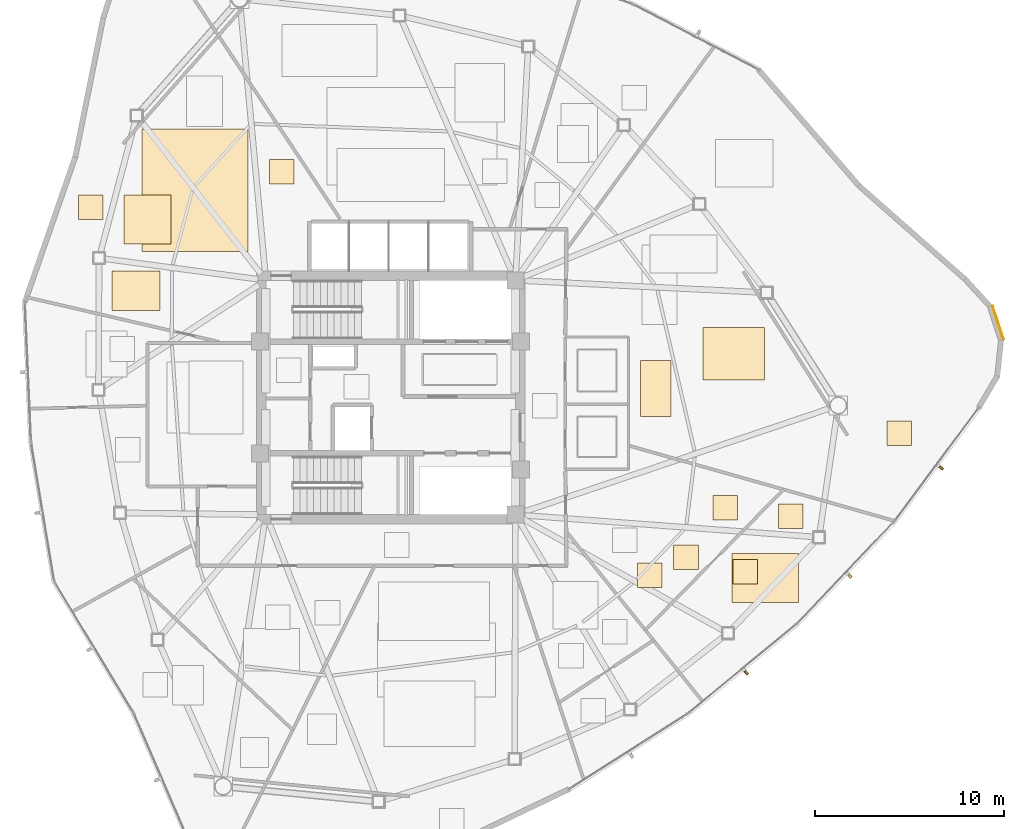
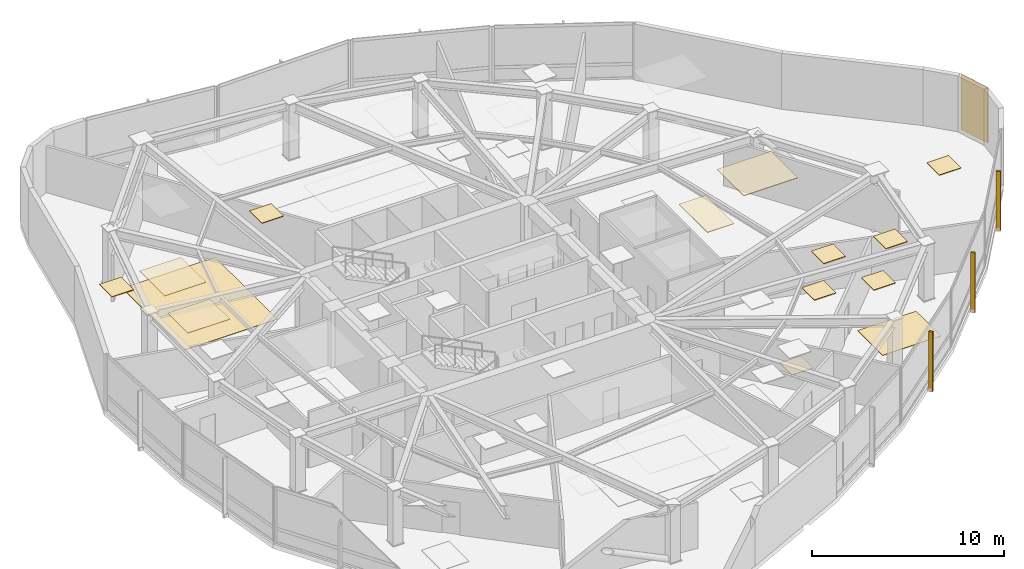
# One storey, part 16 of 17: 15 coverings, 3 shading devices.
"""IFC4 building model written with IfcOpenShell, lengths in metres."""

from ifc_helpers import new_model, si_unit, direction, frame, origin, origin_2d, place, context, subcontext, project, spatial, polyline, rectangle, outline, extrude, source, transform, mapped, material, layer, layer_set, type_object, type_shapes, element, save


model = new_model("IFC4")

# Units and contexts
model_context = context("Model", 3, precision=1e-05, world=origin(), true_north=direction((0.0, 1.0)))
body_context = subcontext(model_context, "Body", "Model", "MODEL_VIEW")
ifc_project = project(units=[si_unit("LENGTHUNIT", "METRE"), si_unit("AREAUNIT", "SQUARE_METRE"), si_unit("VOLUMEUNIT", "CUBIC_METRE"), si_unit("PLANEANGLEUNIT", "RADIAN"), si_unit("MASSUNIT", "GRAM", prefix="KILO")], contexts=[model_context])

# Site, building, storey
site_placement = place(None, origin())
site = spatial("IfcSite", under=ifc_project, at=site_placement, CompositionType="ELEMENT")
building_placement = place(site_placement, origin())
building = spatial("IfcBuilding", under=site, at=building_placement, Name="Tavelor Broadcast Tower", CompositionType="ELEMENT")
storey_placement = place(building_placement, frame((0.0, 0.0, 184.89990234375)))
storey = spatial("IfcBuildingStorey", under=building, at=storey_placement, Name="L44", CompositionType="ELEMENT", Elevation=184.89990234375)

# Coverings
ifc_material_1 = material(Name="Copper-Bronze Anodized Aluminium", Category="aluminium")
ifc_layer_1 = layer(ifc_material_1, 0.050048828125)
ifc_layer_set_1 = layer_set([ifc_layer_1], Name="Copper-Bronze Anodized Aluminium")
covering_type_1 = type_object("IfcCoveringType", Name="Champagne-Bronze Corner Pier Metal Cladding 50 mm", PredefinedType="CLADDING", material=ifc_layer_set_1)
covering_1_placement = place(storey_placement, frame((82.125732421875, 48.965087890625, 0.02001953125), z_axis=(0.0, 0.0, 1.0), x_axis=(-0.311505792684, 0.950244253402, 0.0)))
element("IfcCovering", 1, at=covering_1_placement, inside=storey, type_object=covering_type_1, Name="L44 Champagne-Bronze Corner Cladding 23", PredefinedType="CLADDING", context=body_context, shape_type="SweptSolid", body=[
    extrude(rectangle(XDim=1.8671875, YDim=0.050048828125, at=origin_2d()), origin(), (0.0, 0.0, 1.0), 3.510009765625),
])
ifc_material_2 = material(Name="Acoustic Nylon Carpet Tile")
ifc_layer_2 = layer(ifc_material_2, 0.02001953125)
ifc_layer_set_2 = layer_set([ifc_layer_2], Name="Acoustic Nylon Carpet Tile")
covering_type_2 = type_object("IfcCoveringType", Name="Heavy-Duty Acoustic Broadcast Carpet Tile 20 mm", PredefinedType="FLOORING", material=ifc_layer_set_2)
covering_2_placement = place(storey_placement, origin())
element("IfcCovering", 2, at=covering_2_placement, inside=storey, type_object=covering_type_2, Name="L44 Broadcast Floor Finish 0662", PredefinedType="FLOORING", context=body_context, shape_type="SweptSolid", body=[
    extrude(outline(polyline([(68.04931640625, 34.14697265625), (71.560791015625, 34.14697265625), (71.560791015625, 36.746826171875), (68.04931640625, 36.746826171875), (68.04931640625, 34.14697265625)])), origin(), (0.0, 0.0, 1.0), 0.02001953125),
])
covering_3_placement = place(storey_placement, origin())
element("IfcCovering", 3, at=covering_3_placement, inside=storey, type_object=covering_type_2, Name="L44 Broadcast Floor Finish 0667", PredefinedType="FLOORING", context=body_context, shape_type="SweptSolid", body=[
    extrude(outline(polyline([(36.858642578125, 52.71435546875), (42.4453125, 52.71435546875), (42.4453125, 59.19189453125), (36.858642578125, 59.19189453125), (36.858642578125, 52.71435546875)])), origin(), (0.0, 0.0, 1.0), 0.02001953125),
])
covering_4_placement = place(storey_placement, origin())
element("IfcCovering", 4, at=covering_4_placement, inside=storey, type_object=covering_type_2, Name="L44 Broadcast Floor Finish 0670", PredefinedType="FLOORING", context=body_context, shape_type="SweptSolid", body=[
    extrude(outline(polyline([(63.062255859375, 34.949951171875), (64.3623046875, 34.949951171875), (64.3623046875, 36.25), (63.062255859375, 36.25), (63.062255859375, 34.949951171875)])), origin(), (0.0, 0.0, 1.0), 0.02001953125),
])
ifc_material_3 = material(Name="Acoustic Mineral Fibre Tile")
ifc_layer_3 = layer(ifc_material_3, 0.0400390625)
ifc_layer_set_3 = layer_set([ifc_layer_3], Name="Acoustic Mineral Fibre Tile")
covering_type_3 = type_object("IfcCoveringType", Name="Suspended Acoustic Mineral-Fibre Office Ceiling 40 mm", PredefinedType="CEILING", material=ifc_layer_set_3)
covering_5_placement = place(storey_placement, frame((0.0, 0.0, 3.510009765625)))
element("IfcCovering", 5, at=covering_5_placement, inside=storey, type_object=covering_type_3, Name="L44 Suspended Acoustic Ceiling 1839", PredefinedType="CEILING", context=body_context, shape_type="SweptSolid", body=[
    extrude(outline(polyline([(66.510986328125, 45.92822265625), (69.765625, 45.92822265625), (69.765625, 48.698486328125), (66.510986328125, 48.698486328125), (66.510986328125, 45.92822265625)])), origin(), (0.0, 0.0, 1.0), 0.0400390625),
])
covering_6_placement = place(storey_placement, frame((0.0, 0.0, 3.510009765625)))
element("IfcCovering", 6, at=covering_6_placement, inside=storey, type_object=covering_type_3, Name="L44 Suspended Acoustic Ceiling 1840", PredefinedType="CEILING", context=body_context, shape_type="SweptSolid", body=[
    extrude(outline(polyline([(76.258544921875, 42.461181640625), (77.55859375, 42.461181640625), (77.55859375, 43.760986328125), (76.258544921875, 43.760986328125), (76.258544921875, 42.461181640625)])), origin(), (0.0, 0.0, 1.0), 0.0400390625),
])
covering_7_placement = place(storey_placement, frame((0.0, 0.0, 3.510009765625)))
element("IfcCovering", 7, at=covering_7_placement, inside=storey, type_object=covering_type_3, Name="L44 Suspended Acoustic Ceiling 1841", PredefinedType="CEILING", context=body_context, shape_type="SweptSolid", body=[
    extrude(outline(polyline([(63.21630859375, 43.990478515625), (64.821044921875, 43.990478515625), (64.821044921875, 46.947509765625), (63.21630859375, 46.947509765625), (63.21630859375, 43.990478515625)])), origin(), (0.0, 0.0, 1.0), 0.0400390625),
])
covering_8_placement = place(storey_placement, frame((0.0, 0.0, 3.510009765625)))
element("IfcCovering", 8, at=covering_8_placement, inside=storey, type_object=covering_type_3, Name="L44 Suspended Acoustic Ceiling 1842", PredefinedType="CEILING", context=body_context, shape_type="SweptSolid", body=[
    extrude(outline(polyline([(68.094970703125, 35.142578125), (69.39501953125, 35.142578125), (69.39501953125, 36.442626953125), (68.094970703125, 36.442626953125), (68.094970703125, 35.142578125)])), origin(), (0.0, 0.0, 1.0), 0.0400390625),
])
covering_9_placement = place(storey_placement, frame((0.0, 0.0, 3.510009765625)))
element("IfcCovering", 9, at=covering_9_placement, inside=storey, type_object=covering_type_3, Name="L44 Suspended Acoustic Ceiling 1843", PredefinedType="CEILING", context=body_context, shape_type="SweptSolid", body=[
    extrude(outline(polyline([(70.519775390625, 38.077880859375), (71.81982421875, 38.077880859375), (71.81982421875, 39.3779296875), (70.519775390625, 39.3779296875), (70.519775390625, 38.077880859375)])), origin(), (0.0, 0.0, 1.0), 0.0400390625),
])
covering_10_placement = place(storey_placement, frame((0.0, 0.0, 3.510009765625)))
element("IfcCovering", 10, at=covering_10_placement, inside=storey, type_object=covering_type_3, Name="L44 Suspended Acoustic Ceiling 1852", PredefinedType="CEILING", context=body_context, shape_type="SweptSolid", body=[
    extrude(outline(polyline([(33.496337890625, 54.415771484375), (34.79638671875, 54.415771484375), (34.79638671875, 55.7158203125), (33.496337890625, 55.7158203125), (33.496337890625, 54.415771484375)])), origin(), (0.0, 0.0, 1.0), 0.0400390625),
])
covering_11_placement = place(storey_placement, frame((0.0, 0.0, 3.510009765625)))
element("IfcCovering", 11, at=covering_11_placement, inside=storey, type_object=covering_type_3, Name="L44 Suspended Acoustic Ceiling 1853", PredefinedType="CEILING", context=body_context, shape_type="SweptSolid", body=[
    extrude(outline(polyline([(35.90185546875, 53.112548828125), (38.393310546875, 53.112548828125), (38.393310546875, 55.72216796875), (35.90185546875, 55.72216796875), (35.90185546875, 53.112548828125)])), origin(), (0.0, 0.0, 1.0), 0.0400390625),
])
covering_12_placement = place(storey_placement, frame((0.0, 0.0, 3.510009765625)))
element("IfcCovering", 12, at=covering_12_placement, inside=storey, type_object=covering_type_3, Name="L44 Suspended Acoustic Ceiling 1855", PredefinedType="CEILING", context=body_context, shape_type="SweptSolid", body=[
    extrude(outline(polyline([(43.580078125, 56.29150390625), (44.880126953125, 56.29150390625), (44.880126953125, 57.59130859375), (43.580078125, 57.59130859375), (43.580078125, 56.29150390625)])), origin(), (0.0, 0.0, 1.0), 0.0400390625),
])
covering_13_placement = place(storey_placement, frame((0.0, 0.0, 3.510009765625)))
element("IfcCovering", 13, at=covering_13_placement, inside=storey, type_object=covering_type_3, Name="L44 Suspended Acoustic Ceiling 1856", PredefinedType="CEILING", context=body_context, shape_type="SweptSolid", body=[
    extrude(outline(polyline([(35.266845703125, 49.59326171875), (37.797119140625, 49.59326171875), (37.797119140625, 51.692138671875), (35.266845703125, 51.692138671875), (35.266845703125, 49.59326171875)])), origin(), (0.0, 0.0, 1.0), 0.0400390625),
])
covering_14_placement = place(storey_placement, frame((0.0, 0.0, 3.510009765625)))
element("IfcCovering", 14, at=covering_14_placement, inside=storey, type_object=covering_type_3, Name="L44 Suspended Acoustic Ceiling 1864", PredefinedType="CEILING", context=body_context, shape_type="SweptSolid", body=[
    extrude(outline(polyline([(67.047607421875, 38.522705078125), (68.34765625, 38.522705078125), (68.34765625, 39.82275390625), (67.047607421875, 39.82275390625), (67.047607421875, 38.522705078125)])), origin(), (0.0, 0.0, 1.0), 0.0400390625),
])
covering_15_placement = place(storey_placement, frame((0.0, 0.0, 3.510009765625)))
element("IfcCovering", 15, at=covering_15_placement, inside=storey, type_object=covering_type_3, Name="L44 Suspended Acoustic Ceiling 1865", PredefinedType="CEILING", context=body_context, shape_type="SweptSolid", body=[
    extrude(outline(polyline([(64.970458984375, 35.8994140625), (66.2705078125, 35.8994140625), (66.2705078125, 37.199462890625), (64.970458984375, 37.199462890625), (64.970458984375, 35.8994140625)])), origin(), (0.0, 0.0, 1.0), 0.0400390625),
])

# Shading devices
ifc_material_4 = material(Name="Kiln-Fired Glazed Terracotta", Category="masonry")
shading_device_type = type_object("IfcShadingDeviceType", Name="Extruded Terracotta Baguette Sun-Screen 110x240", PredefinedType="JALOUSIE", material=ifc_material_4)
shared_shape = source(origin(), body_context, "Body", "SweptSolid", [
    extrude(rectangle(XDim=0.110107421875, YDim=0.239990234375, at=origin_2d()), origin(), (0.0, 0.0, 1.0), 3.7900390625),
])
type_shapes(shading_device_type, [shared_shape])
for number, where, z_axis, x_axis, name in (
    (16, (68.80859375, 30.44140625, -0.260009765625), (0.0, 0.0, 1.0), (0.771846569558, 0.63580883374, 0.0), "L44 Terracotta Baguette Fin 462"),
    (17, (74.293212890625, 35.546875, -0.260009765625), (0.0, 0.0, 1.0), (0.689240273721, 0.724532846102, 0.0), "L44 Terracotta Baguette Fin 463"),
    (18, (79.119384765625, 41.27880859375, -0.260009765625), (0.0, 0.0, 1.0), (0.596505074801, 0.802609304542, 0.0), "L44 Terracotta Baguette Fin 464"),
):
    element("IfcShadingDevice", number, at=place(storey_placement, frame(where, z_axis=z_axis, x_axis=x_axis)), inside=storey, type_object=shading_device_type, Name=name, PredefinedType="JALOUSIE", context=body_context, shape_type="MappedRepresentation", body=[
        mapped(shared_shape, transform((0.0, 0.0, 0.0), scale=1.0)),
    ])

save(model, "model.ifc")
